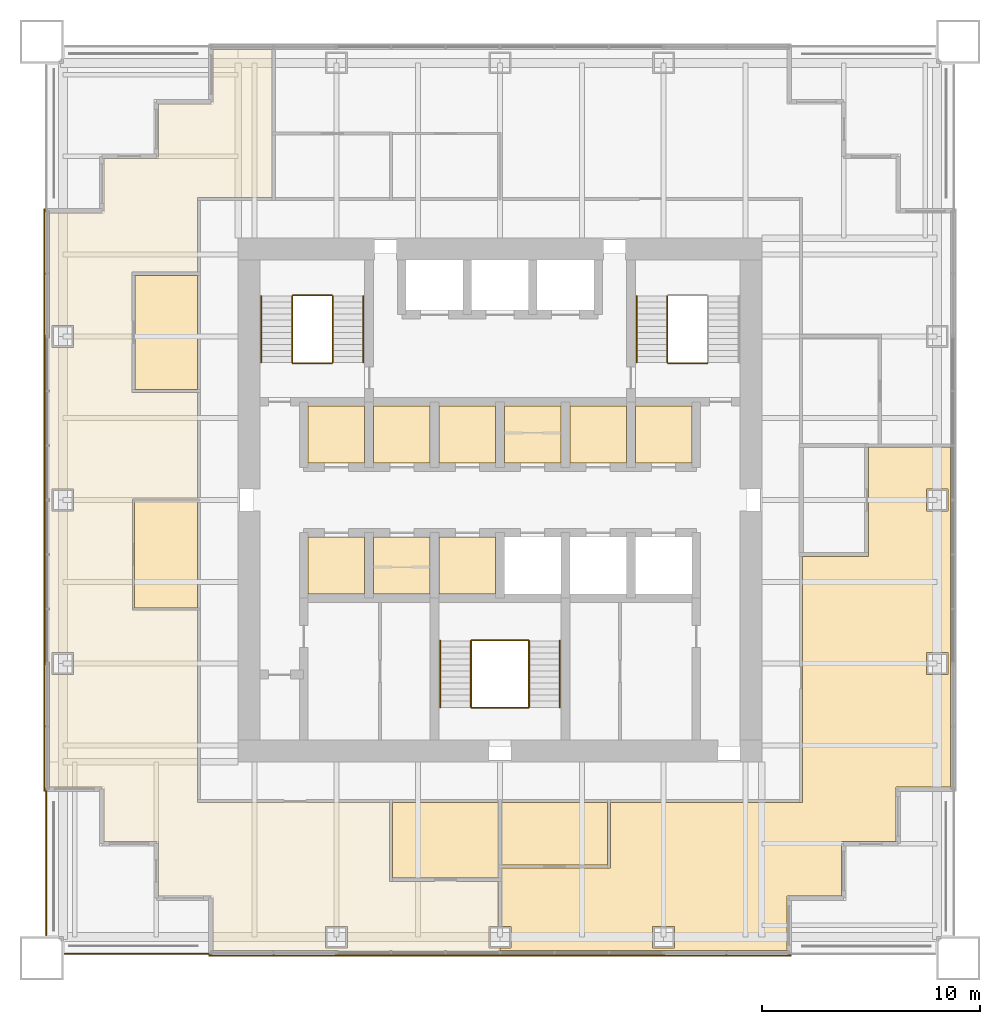
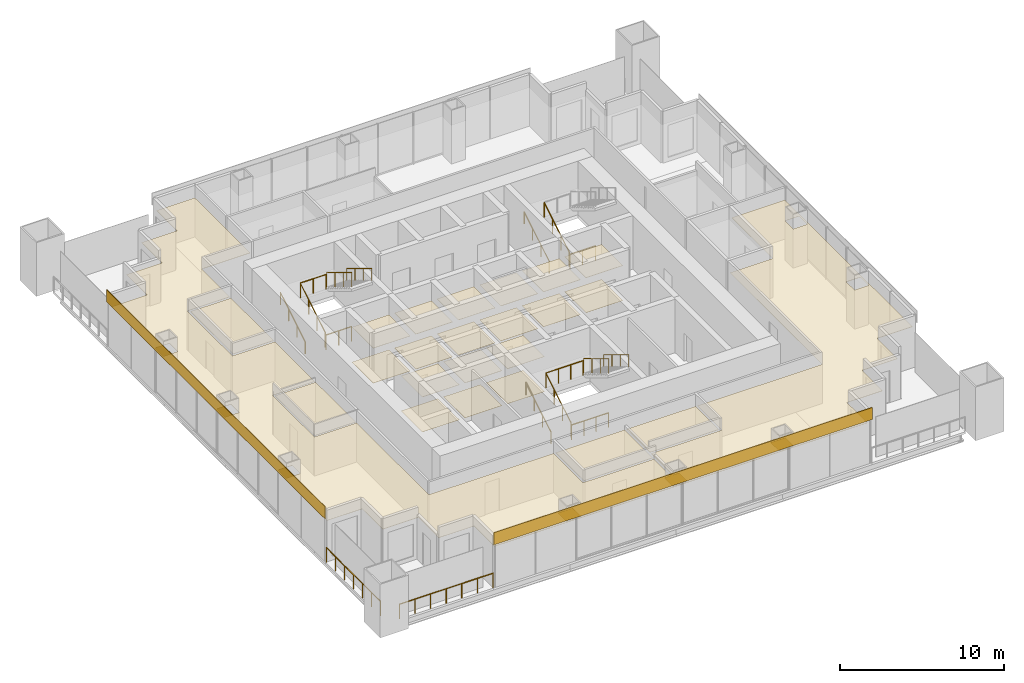
# One storey, part 13 of 14: 26 coverings, 17 railings.
"""IFC4 building model written with IfcOpenShell, lengths in metres."""

import ifcopenshell
import ifcopenshell.guid

model = None  # the IFC model being written
_history = None  # IfcOwnerHistory: only IFC2X3 demands one
_inside = {}  # id of a spatial element -> (the spatial element, [elements in it])
_under = {}  # id of a project, library or spatial element -> (it, [spatial elements below it])
_declared = {}  # id of a project -> (the project, [libraries it declares])
_typed = {}  # id of a type object -> (the type object, [elements of that type])
_made_of = {}  # id of a material, layer set ... -> (it, [elements and type objects made of it])


def new_model(schema):
    """Start an empty IFC model of exactly this schema.

    Asked for "IFC4X3", IfcOpenShell would pick the latest addendum, in which some entities
    have other attributes; the version numbers below select the first issue.
    IFC2X3 requires an IfcOwnerHistory on every rooted entity: one is made here for all.
    """
    global model, _history
    if schema == "IFC4X3":
        model = ifcopenshell.file(schema_version=(4, 3, 0, 0))
    else:
        model = ifcopenshell.file(schema=schema)
    _inside.clear()
    _under.clear()
    _declared.clear()
    _typed.clear()
    _made_of.clear()
    _history = None
    if model.schema == "IFC2X3":
        org = make("IfcOrganization", Name="unknown")
        user = make(
            "IfcPersonAndOrganization",
            ThePerson=make("IfcPerson", FamilyName="unknown"),
            TheOrganization=org,
        )
        app = make(
            "IfcApplication",
            ApplicationDeveloper=org,
            Version="unknown",
            ApplicationFullName="unknown",
            ApplicationIdentifier="unknown",
        )
        _history = make(
            "IfcOwnerHistory",
            OwningUser=user,
            OwningApplication=app,
            ChangeAction="ADDED",
            CreationDate=0,
        )
    return model


def make(cls, **values):
    """One entity of the class cls with the attributes given. An attribute that is None is left unset."""
    return model.create_entity(
        cls, **{name: value for name, value in values.items() if value is not None}
    )


def rooted(cls, **values):
    """An entity with a GlobalId (a new one), such as an element, a storey or a relation."""
    return make(cls, GlobalId=ifcopenshell.guid.new(), OwnerHistory=_history, **values)


def si_unit(unit_type, name, prefix=None):
    """IfcSIUnit, for example si_unit("LENGTHUNIT", "METRE", prefix="MILLI")."""
    return make("IfcSIUnit", UnitType=unit_type, Prefix=prefix, Name=name)


def assignment(units):
    """IfcUnitAssignment: the units of a project."""
    return None if units is None else make("IfcUnitAssignment", Units=units)


def point(xyz):
    """IfcCartesianPoint."""
    return None if xyz is None else make("IfcCartesianPoint", Coordinates=xyz)


def direction(xyz):
    """IfcDirection."""
    return None if xyz is None else make("IfcDirection", DirectionRatios=xyz)


def frame(location, z_axis=None, x_axis=None):
    """IfcAxis2Placement3D, a coordinate frame: its origin and axes. An axis left out is left unset."""
    return make(
        "IfcAxis2Placement3D",
        Location=point(location),
        Axis=direction(z_axis),
        RefDirection=direction(x_axis),
    )


def frame_2d(location, x_axis=None):
    """IfcAxis2Placement2D, a coordinate frame in the plane: its origin and x axis."""
    return make(
        "IfcAxis2Placement2D", Location=point(location), RefDirection=direction(x_axis)
    )


def origin():
    """The frame at (0, 0, 0) with its axes left unset."""
    return frame((0.0, 0.0, 0.0))


def origin_2d():
    """The frame at (0, 0) in the plane with its x axis left unset."""
    return frame_2d((0.0, 0.0))


def place(relative_to, where):
    """IfcLocalPlacement: puts the frame where relative to a parent placement (None: the world)."""
    return make(
        "IfcLocalPlacement", PlacementRelTo=relative_to, RelativePlacement=where
    )


def context(
    kind, dimensions, precision=None, world=None, true_north=None, identifier=None
):
    """IfcGeometricRepresentationContext, for example the 3D "Model" context."""
    return make(
        "IfcGeometricRepresentationContext",
        ContextIdentifier=identifier,
        ContextType=kind,
        CoordinateSpaceDimension=dimensions,
        Precision=precision,
        WorldCoordinateSystem=world,
        TrueNorth=true_north,
    )


def subcontext(parent, identifier, kind, view, scale=None):
    """IfcGeometricRepresentationSubContext, for example "Body" below "Model"."""
    return make(
        "IfcGeometricRepresentationSubContext",
        ContextIdentifier=identifier,
        ContextType=kind,
        ParentContext=parent,
        TargetScale=scale,
        TargetView=view,
    )


def project(units=None, contexts=None):
    """IfcProject with its units and contexts."""
    return rooted(
        "IfcProject",
        Name="project",
        RepresentationContexts=contexts,
        UnitsInContext=assignment(units),
    )


def spatial(cls, under=None, at=None, **own):
    """A site, building, storey or space (cls), placed at a placement, below another one or the project."""
    s = rooted(cls, ObjectPlacement=at, **own)
    if under is not None:
        _under.setdefault(under.id(), (under, []))[1].append(s)
    return s


def polyline(points):
    """IfcPolyline through the points."""
    return make("IfcPolyline", Points=[point(p) for p in points])


def profile(cls, at=None, kind="AREA", **sizes):
    """A parametric profile (cls). Its sizes go by their IFC names, for example OverallWidth=200.0."""
    return make(cls, ProfileType=kind, Position=at, **sizes)


def rectangle(**sizes):
    """IfcRectangleProfileDef."""
    return profile("IfcRectangleProfileDef", **sizes)


def circle(**sizes):
    """IfcCircleProfileDef."""
    return profile("IfcCircleProfileDef", **sizes)


def outline(outer, holes=None, kind="AREA"):
    """IfcArbitraryClosedProfileDef: a profile drawn as a closed curve; with holes, ...WithVoids."""
    if holes is None:
        return make("IfcArbitraryClosedProfileDef", ProfileType=kind, OuterCurve=outer)
    return make(
        "IfcArbitraryProfileDefWithVoids",
        ProfileType=kind,
        OuterCurve=outer,
        InnerCurves=holes,
    )


def extrude(swept, where, along, depth):
    """IfcExtrudedAreaSolid: the profile swept, set in the frame where, extruded along a direction by depth."""
    return make(
        "IfcExtrudedAreaSolid",
        SweptArea=swept,
        Position=where,
        ExtrudedDirection=direction(along),
        Depth=depth,
    )


def shape(context_of_items, identifier, shape_type, items):
    """IfcShapeRepresentation: the items that make up one representation, for example the "Body"."""
    return make(
        "IfcShapeRepresentation",
        ContextOfItems=context_of_items,
        RepresentationIdentifier=identifier,
        RepresentationType=shape_type,
        Items=items,
    )


def material(Name=None, Category=None):
    """IfcMaterial."""
    return make("IfcMaterial", Name=Name, Category=Category)


def layer(
    of_material, thickness, ventilated=None, Name=None, Category=None, Priority=None
):
    """IfcMaterialLayer: one layer of a wall or slab, of a material (None: an air gap)."""
    return make(
        "IfcMaterialLayer",
        Material=of_material,
        LayerThickness=thickness,
        IsVentilated=ventilated,
        Name=Name,
        Category=Category,
        Priority=Priority,
    )


def layer_set(layers, Name=None):
    """IfcMaterialLayerSet."""
    return make("IfcMaterialLayerSet", MaterialLayers=layers, LayerSetName=Name)


def made_of(thing, what):
    """Note that an element or type object is made of a material, layer set ...; save() writes the relation."""
    if what is not None:
        _made_of.setdefault(what.id(), (what, []))[1].append(thing)
    return thing


def type_object(cls, material=None, **own):
    """A type object (cls), such as IfcWallType, which elements share."""
    return made_of(rooted(cls, **own), material)


def element(
    cls,
    number,
    at=None,
    inside=None,
    cuts=None,
    type_object=None,
    material=None,
    context=None,
    identifier="Body",
    shape_type=None,
    held_by="IfcProductDefinitionShape",
    body=None,
    shapes=None,
    **own,
):
    """One element of the class cls, such as IfcWall. Its Tag is "e" and its number.

    at: its placement. inside: the storey or other place that contains it. cuts: it is an
    opening in that element (IfcRelVoidsElement). A single representation is given by context,
    identifier, shape_type and body (its items); several are given by shapes. held_by: the class
    of the entity that holds the representations. save() writes the other relations.
    """
    e = rooted(cls, Tag="e%d" % number, ObjectPlacement=at, **own)
    if body is not None:
        shapes = [shape(context, identifier, shape_type, body)]
    if shapes is not None:
        e.Representation = make(held_by, Representations=shapes)
    if inside is not None:
        _inside.setdefault(inside.id(), (inside, []))[1].append(e)
    if cuts is not None:
        rooted(
            "IfcRelVoidsElement", RelatingBuildingElement=cuts, RelatedOpeningElement=e
        )
    if type_object is not None:
        _typed.setdefault(type_object.id(), (type_object, []))[1].append(e)
    return made_of(e, material)


def aggregate(whole, parts):
    """IfcRelAggregates: a whole, such as a stair, and the parts it consists of."""
    return rooted("IfcRelAggregates", RelatingObject=whole, RelatedObjects=parts)


def save(model, path):
    """Write the relations noted so far, then the file.

    IfcRelAggregates (storeys below a building ...), IfcRelContainedInSpatialStructure (elements
    in a storey), IfcRelDefinesByType, IfcRelAssociatesMaterial and IfcRelDeclares: one each for
    every whole, place, type object, material and project.
    """
    for whole, parts in _under.values():
        aggregate(whole, parts)
    for where, things in _inside.values():
        rooted(
            "IfcRelContainedInSpatialStructure",
            RelatedElements=things,
            RelatingStructure=where,
        )
    for kind, things in _typed.values():
        rooted("IfcRelDefinesByType", RelatedObjects=things, RelatingType=kind)
    for what, things in _made_of.values():
        rooted("IfcRelAssociatesMaterial", RelatedObjects=things, RelatingMaterial=what)
    for by, libraries in _declared.values():
        rooted("IfcRelDeclares", RelatingContext=by, RelatedDefinitions=libraries)
    model.write(path)


model = new_model("IFC4")

# Units and contexts
model_context = context("Model", 3, precision=1e-05, world=origin(), true_north=direction((0.0, 1.0)))
body_context = subcontext(model_context, "Body", "Model", "MODEL_VIEW")
ifc_project = project(units=[si_unit("LENGTHUNIT", "METRE"), si_unit("AREAUNIT", "SQUARE_METRE"), si_unit("VOLUMEUNIT", "CUBIC_METRE"), si_unit("PLANEANGLEUNIT", "RADIAN"), si_unit("MASSUNIT", "GRAM", prefix="KILO")], contexts=[model_context])

# Site, building, storey
site_placement = place(None, origin())
site = spatial("IfcSite", under=ifc_project, at=site_placement, CompositionType="ELEMENT")
building_placement = place(site_placement, origin())
building = spatial("IfcBuilding", under=site, at=building_placement, Name="Tarangal Relay Tower", CompositionType="ELEMENT")
storey_placement = place(building_placement, frame((0.0, 0.0, 267.89990234375)))
storey = spatial("IfcBuildingStorey", under=building, at=storey_placement, Name="L58", CompositionType="ELEMENT", Elevation=267.89990234375)

# Coverings
ifc_material_1 = material(Name="Anti-static vinyl flooring", Category="plastic")
ifc_layer_1 = layer(ifc_material_1, 0.010009765625)
ifc_layer_set_1 = layer_set([ifc_layer_1], Name="Anti-static vinyl floor")
covering_type_1 = type_object("IfcCoveringType", Name="Anti-static vinyl floor", PredefinedType="FLOORING", material=ifc_layer_set_1)
covering_1_placement = place(storey_placement, origin())
element("IfcCovering", 1, at=covering_1_placement, inside=storey, type_object=covering_type_1, Name="Floor finish FL1 L58-D1", PredefinedType="FLOORING", context=body_context, shape_type="SweptSolid", body=[
    extrude(outline(polyline([(-8.800048828125, 1.699951171875), (-6.199951171875, 1.699951171875), (-6.199951171875, 4.300048828125), (-8.800048828125, 4.300048828125), (-8.800048828125, 1.699951171875)])), origin(), (0.0, 0.0, 1.0), 0.010009765625),
])
covering_2_placement = place(storey_placement, origin())
element("IfcCovering", 2, at=covering_2_placement, inside=storey, type_object=covering_type_1, Name="Floor finish FL1 L58-D2", PredefinedType="FLOORING", context=body_context, shape_type="SweptSolid", body=[
    extrude(outline(polyline([(-5.800048828125, 1.699951171875), (-3.199951171875, 1.699951171875), (-3.199951171875, 4.300048828125), (-5.800048828125, 4.300048828125), (-5.800048828125, 1.699951171875)])), origin(), (0.0, 0.0, 1.0), 0.010009765625),
])
covering_3_placement = place(storey_placement, origin())
element("IfcCovering", 3, at=covering_3_placement, inside=storey, type_object=covering_type_1, Name="Floor finish FL1 L58-D3", PredefinedType="FLOORING", context=body_context, shape_type="SweptSolid", body=[
    extrude(outline(polyline([(-2.800048828125, 1.699951171875), (-0.199951171875, 1.699951171875), (-0.199951171875, 4.300048828125), (-2.800048828125, 4.300048828125), (-2.800048828125, 1.699951171875)])), origin(), (0.0, 0.0, 1.0), 0.010009765625),
])
covering_4_placement = place(storey_placement, origin())
element("IfcCovering", 4, at=covering_4_placement, inside=storey, type_object=covering_type_1, Name="Floor finish FL1 L58-T1", PredefinedType="FLOORING", context=body_context, shape_type="SweptSolid", body=[
    extrude(outline(polyline([(0.199951171875, 1.699951171875), (2.800048828125, 1.699951171875), (2.800048828125, 4.300048828125), (0.199951171875, 4.300048828125), (0.199951171875, 1.699951171875)])), origin(), (0.0, 0.0, 1.0), 0.010009765625),
])
covering_5_placement = place(storey_placement, origin())
element("IfcCovering", 5, at=covering_5_placement, inside=storey, type_object=covering_type_1, Name="Floor finish FL1 L58-T2", PredefinedType="FLOORING", context=body_context, shape_type="SweptSolid", body=[
    extrude(outline(polyline([(3.199951171875, 1.699951171875), (5.800048828125, 1.699951171875), (5.800048828125, 4.300048828125), (3.199951171875, 4.300048828125), (3.199951171875, 1.699951171875)])), origin(), (0.0, 0.0, 1.0), 0.010009765625),
])
covering_6_placement = place(storey_placement, origin())
element("IfcCovering", 6, at=covering_6_placement, inside=storey, type_object=covering_type_1, Name="Floor finish FL1 L58-T3", PredefinedType="FLOORING", context=body_context, shape_type="SweptSolid", body=[
    extrude(outline(polyline([(6.199951171875, 1.699951171875), (8.800048828125, 1.699951171875), (8.800048828125, 4.300048828125), (6.199951171875, 4.300048828125), (6.199951171875, 1.699951171875)])), origin(), (0.0, 0.0, 1.0), 0.010009765625),
])
covering_7_placement = place(storey_placement, origin())
element("IfcCovering", 7, at=covering_7_placement, inside=storey, type_object=covering_type_1, Name="Floor finish FL1 L58-S1", PredefinedType="FLOORING", context=body_context, shape_type="SweptSolid", body=[
    extrude(outline(polyline([(-8.800048828125, -4.300048828125), (-6.199951171875, -4.300048828125), (-6.199951171875, -1.699951171875), (-8.800048828125, -1.699951171875), (-8.800048828125, -4.300048828125)])), origin(), (0.0, 0.0, 1.0), 0.010009765625),
])
covering_8_placement = place(storey_placement, origin())
element("IfcCovering", 8, at=covering_8_placement, inside=storey, type_object=covering_type_1, Name="Floor finish FL1 L58-S2", PredefinedType="FLOORING", context=body_context, shape_type="SweptSolid", body=[
    extrude(outline(polyline([(-5.800048828125, -4.300048828125), (-3.199951171875, -4.300048828125), (-3.199951171875, -1.699951171875), (-5.800048828125, -1.699951171875), (-5.800048828125, -4.300048828125)])), origin(), (0.0, 0.0, 1.0), 0.010009765625),
])
covering_9_placement = place(storey_placement, origin())
element("IfcCovering", 9, at=covering_9_placement, inside=storey, type_object=covering_type_1, Name="Floor finish FL1 L58-S3", PredefinedType="FLOORING", context=body_context, shape_type="SweptSolid", body=[
    extrude(outline(polyline([(-2.800048828125, -4.300048828125), (-0.199951171875, -4.300048828125), (-0.199951171875, -1.699951171875), (-2.800048828125, -1.699951171875), (-2.800048828125, -4.300048828125)])), origin(), (0.0, 0.0, 1.0), 0.010009765625),
])
ifc_material_2 = material(Name="Black anodised aluminium cladding", Category="aluminium")
ifc_layer_2 = layer(ifc_material_2, 0.050048828125)
ifc_layer_set_2 = layer_set([ifc_layer_2], Name="Black metal spandrel band")
covering_type_2 = type_object("IfcCoveringType", Name="Black metal spandrel band", PredefinedType="CLADDING", material=ifc_layer_set_2)
for number, where, z_axis, x_axis, name in (
    (10, (0.0, -20.875, 3.250244140625), (0.0, 0.0, 1.0), (-1.0, 0.0, 0.0), "Spandrel band SB1 S L58"),
    (11, (-20.875, 0.0, 3.250244140625), (0.0, 0.0, 1.0), (0.0, 1.0, 0.0), "Spandrel band SB1 W L58"),
):
    element("IfcCovering", number, at=place(storey_placement, frame(where, z_axis=z_axis, x_axis=x_axis)), inside=storey, type_object=covering_type_2, Name=name, PredefinedType="CLADDING", context=body_context, shape_type="SweptSolid", body=[
        extrude(rectangle(XDim=26.699951171875, YDim=0.050048828125, at=origin_2d()), origin(), (0.0, 0.0, 1.0), 0.89990234375),
    ])

# Railings
ifc_material_3 = material(Name="Steel guard, black finish", Category="steel")
railing_type_1 = type_object("IfcRailingType", Name="Stair guard 1100", PredefinedType="GUARDRAIL", material=ifc_material_3)
railing_1_placement = place(storey_placement, frame((-9.530029296875, 6.300048828125, 0.166748046875)))
element("IfcRailing", 12, at=railing_1_placement, inside=storey, type_object=railing_type_1, Name="Stair ST-A guard GR1 L58 flight 1", PredefinedType="GUARDRAIL", context=body_context, shape_type="SweptSolid", body=[
    extrude(circle(Radius=0.02392578125, at=origin_2d()), frame((0.0, 0.0, 1.076171875), z_axis=(0.0, 0.85685617095, 0.515555527858), x_axis=(-1.0, 0.0, 0.0)), (0.0, 0.0, 1.0), 3.555908203125),
    extrude(circle(Radius=0.02099609375, at=origin_2d()), origin(), (0.0, 0.0, 1.0), 1.052001953125),
    extrude(circle(Radius=0.02099609375, at=origin_2d()), frame((0.0, 1.015625, 0.611083984375)), (0.0, 0.0, 1.0), 1.052001953125),
    extrude(circle(Radius=0.02099609375, at=origin_2d()), frame((0.0, 2.03125, 1.22216796875)), (0.0, 0.0, 1.0), 1.052001953125),
    extrude(circle(Radius=0.02099609375, at=origin_2d()), frame((0.0, 3.046875, 1.833251953125)), (0.0, 0.0, 1.0), 1.052001953125),
])
railing_2_placement = place(storey_placement, frame((-7.669921875, 9.346923828125, 2.166748046875)))
element("IfcRailing", 13, at=railing_2_placement, inside=storey, type_object=railing_type_1, Name="Stair ST-A guard GR1 L58 flight 2", PredefinedType="GUARDRAIL", context=body_context, shape_type="SweptSolid", body=[
    extrude(circle(Radius=0.02392578125, at=origin_2d()), frame((0.0, 0.0, 1.076171875), z_axis=(0.0, -0.85685617095, 0.515555527858), x_axis=(1.0, 0.0, 0.0)), (0.0, 0.0, 1.0), 3.555908203125),
    extrude(circle(Radius=0.02099609375, at=origin_2d()), origin(), (0.0, 0.0, 1.0), 1.052001953125),
    extrude(circle(Radius=0.02099609375, at=origin_2d()), frame((0.0, -1.015625, 0.611083984375)), (0.0, 0.0, 1.0), 1.052001953125),
    extrude(circle(Radius=0.02099609375, at=origin_2d()), frame((0.0, -2.03125, 1.22216796875)), (0.0, 0.0, 1.0), 1.052001953125),
    extrude(circle(Radius=0.02099609375, at=origin_2d()), frame((0.0, -3.046875, 1.833251953125)), (0.0, 0.0, 1.0), 1.052001953125),
])
for number, where, name in (
    (14, (-9.5, 6.27001953125, 0.0), "Stair ST-A landing guard GR1 L58"),
    (15, (-9.5, 9.376953125, 2.0), "Stair ST-A landing guard GR1 L58"),
):
    element("IfcRailing", number, at=place(storey_placement, frame(where)), inside=storey, type_object=railing_type_1, Name=name, PredefinedType="GUARDRAIL", context=body_context, shape_type="SweptSolid", body=[
        extrude(circle(Radius=0.02392578125, at=origin_2d()), frame((0.0, 0.0, 1.076171875), z_axis=(1.0, 0.0, 0.0), x_axis=(0.0, 1.0, 0.0)), (0.0, 0.0, 1.0), 1.800048828125),
        extrude(circle(Radius=0.02099609375, at=origin_2d()), origin(), (0.0, 0.0, 1.0), 1.052001953125),
        extrude(circle(Radius=0.02099609375, at=origin_2d()), frame((0.89990234375, 0.0, 0.0)), (0.0, 0.0, 1.0), 1.052001953125),
        extrude(circle(Radius=0.02099609375, at=origin_2d()), frame((1.800048828125, 0.0, 0.0)), (0.0, 0.0, 1.0), 1.052001953125),
    ])
railing_3_placement = place(storey_placement, frame((7.669921875, 6.300048828125, 0.166748046875)))
element("IfcRailing", 16, at=railing_3_placement, inside=storey, type_object=railing_type_1, Name="Stair ST-B guard GR1 L58 flight 1", PredefinedType="GUARDRAIL", context=body_context, shape_type="SweptSolid", body=[
    extrude(circle(Radius=0.02392578125, at=origin_2d()), frame((0.0, 0.0, 1.076171875), z_axis=(0.0, 0.85685617095, 0.515555527858), x_axis=(-1.0, 0.0, 0.0)), (0.0, 0.0, 1.0), 3.555908203125),
    extrude(circle(Radius=0.02099609375, at=origin_2d()), origin(), (0.0, 0.0, 1.0), 1.052001953125),
    extrude(circle(Radius=0.02099609375, at=origin_2d()), frame((0.0, 1.015625, 0.611083984375)), (0.0, 0.0, 1.0), 1.052001953125),
    extrude(circle(Radius=0.02099609375, at=origin_2d()), frame((0.0, 2.03125, 1.22216796875)), (0.0, 0.0, 1.0), 1.052001953125),
    extrude(circle(Radius=0.02099609375, at=origin_2d()), frame((0.0, 3.046875, 1.833251953125)), (0.0, 0.0, 1.0), 1.052001953125),
])
railing_4_placement = place(storey_placement, frame((7.699951171875, 6.27001953125, 0.0)))
element("IfcRailing", 17, at=railing_4_placement, inside=storey, type_object=railing_type_1, Name="Stair ST-B landing guard GR1 L58", PredefinedType="GUARDRAIL", context=body_context, shape_type="SweptSolid", body=[
    extrude(circle(Radius=0.02392578125, at=origin_2d()), frame((0.0, 0.0, 1.076171875), z_axis=(1.0, 0.0, 0.0), x_axis=(0.0, 1.0, 0.0)), (0.0, 0.0, 1.0), 1.800048828125),
    extrude(circle(Radius=0.02099609375, at=origin_2d()), origin(), (0.0, 0.0, 1.0), 1.052001953125),
    extrude(circle(Radius=0.02099609375, at=origin_2d()), frame((0.89990234375, 0.0, 0.0)), (0.0, 0.0, 1.0), 1.052001953125),
    extrude(circle(Radius=0.02099609375, at=origin_2d()), frame((1.800048828125, 0.0, 0.0)), (0.0, 0.0, 1.0), 1.052001953125),
])
railing_5_placement = place(storey_placement, frame((-1.330078125, -9.5, 0.166748046875)))
element("IfcRailing", 18, at=railing_5_placement, inside=storey, type_object=railing_type_1, Name="Stair ST-C guard GR1 L58 flight 1", PredefinedType="GUARDRAIL", context=body_context, shape_type="SweptSolid", body=[
    extrude(circle(Radius=0.02392578125, at=origin_2d()), frame((0.0, 0.0, 1.076171875), z_axis=(0.0, 0.856874418557, 0.515525199018), x_axis=(-1.0, 0.0, 0.0)), (0.0, 0.0, 1.0), 3.55615234375),
    extrude(circle(Radius=0.02099609375, at=origin_2d()), origin(), (0.0, 0.0, 1.0), 1.052001953125),
    extrude(circle(Radius=0.02099609375, at=origin_2d()), frame((0.0, 1.015625, 0.611083984375)), (0.0, 0.0, 1.0), 1.052001953125),
    extrude(circle(Radius=0.02099609375, at=origin_2d()), frame((0.0, 2.031494140625, 1.22216796875)), (0.0, 0.0, 1.0), 1.052001953125),
    extrude(circle(Radius=0.02099609375, at=origin_2d()), frame((0.0, 3.047119140625, 1.833251953125)), (0.0, 0.0, 1.0), 1.052001953125),
])
railing_6_placement = place(storey_placement, frame((1.330078125, -6.452880859375, 2.166748046875)))
element("IfcRailing", 19, at=railing_6_placement, inside=storey, type_object=railing_type_1, Name="Stair ST-C guard GR1 L58 flight 2", PredefinedType="GUARDRAIL", context=body_context, shape_type="SweptSolid", body=[
    extrude(circle(Radius=0.02392578125, at=origin_2d()), frame((0.0, 0.0, 1.076171875), z_axis=(0.0, -0.856874418557, 0.515525199018), x_axis=(1.0, 0.0, 0.0)), (0.0, 0.0, 1.0), 3.55615234375),
    extrude(circle(Radius=0.02099609375, at=origin_2d()), origin(), (0.0, 0.0, 1.0), 1.052001953125),
    extrude(circle(Radius=0.02099609375, at=origin_2d()), frame((0.0, -1.015625, 0.611083984375)), (0.0, 0.0, 1.0), 1.052001953125),
    extrude(circle(Radius=0.02099609375, at=origin_2d()), frame((0.0, -2.031494140625, 1.22216796875)), (0.0, 0.0, 1.0), 1.052001953125),
    extrude(circle(Radius=0.02099609375, at=origin_2d()), frame((0.0, -3.047119140625, 1.833251953125)), (0.0, 0.0, 1.0), 1.052001953125),
])
for number, where, name in (
    (20, (-1.300048828125, -9.530029296875, 0.0), "Stair ST-C landing guard GR1 L58"),
    (21, (-1.300048828125, -6.423095703125, 2.0), "Stair ST-C landing guard GR1 L58"),
):
    element("IfcRailing", number, at=place(storey_placement, frame(where)), inside=storey, type_object=railing_type_1, Name=name, PredefinedType="GUARDRAIL", context=body_context, shape_type="SweptSolid", body=[
        extrude(circle(Radius=0.02392578125, at=origin_2d()), frame((0.0, 0.0, 1.076171875), z_axis=(1.0, 0.0, 0.0), x_axis=(0.0, 1.0, 0.0)), (0.0, 0.0, 1.0), 2.60009765625),
        extrude(circle(Radius=0.02099609375, at=origin_2d()), origin(), (0.0, 0.0, 1.0), 1.052001953125),
        extrude(circle(Radius=0.02099609375, at=origin_2d()), frame((0.86669921875, 0.0, 0.0)), (0.0, 0.0, 1.0), 1.052001953125),
        extrude(circle(Radius=0.02099609375, at=origin_2d()), frame((1.7333984375, 0.0, 0.0)), (0.0, 0.0, 1.0), 1.052001953125),
        extrude(circle(Radius=0.02099609375, at=origin_2d()), frame((2.60009765625, 0.0, 0.0)), (0.0, 0.0, 1.0), 1.052001953125),
    ])
ifc_material_4 = material(Name="Steel handrail, black finish", Category="steel")
railing_type_2 = type_object("IfcRailingType", Name="Stair handrail 900", PredefinedType="HANDRAIL", material=ifc_material_4)
railing_7_placement = place(storey_placement, frame((-10.93994140625, 6.300048828125, 0.166748046875)))
element("IfcRailing", 22, at=railing_7_placement, inside=storey, type_object=railing_type_2, Name="Stair ST-A handrail HR1 L58 flight 1", PredefinedType="HANDRAIL", context=body_context, shape_type="SweptSolid", body=[
    extrude(circle(Radius=0.02392578125, at=origin_2d()), frame((0.0, 0.0, 0.8759765625), z_axis=(0.0, 0.85685617095, 0.515555527858), x_axis=(-1.0, 0.0, 0.0)), (0.0, 0.0, 1.0), 3.555908203125),
    extrude(circle(Radius=0.02099609375, at=origin_2d()), origin(), (0.0, 0.0, 1.0), 0.851806640625),
    extrude(circle(Radius=0.02099609375, at=origin_2d()), frame((0.0, 1.015625, 0.611083984375)), (0.0, 0.0, 1.0), 0.851806640625),
    extrude(circle(Radius=0.02099609375, at=origin_2d()), frame((0.0, 2.03125, 1.22216796875)), (0.0, 0.0, 1.0), 0.851806640625),
    extrude(circle(Radius=0.02099609375, at=origin_2d()), frame((0.0, 3.046875, 1.833251953125)), (0.0, 0.0, 1.0), 0.851806640625),
])
railing_8_placement = place(storey_placement, frame((-6.260009765625, 9.346923828125, 2.166748046875)))
element("IfcRailing", 23, at=railing_8_placement, inside=storey, type_object=railing_type_2, Name="Stair ST-A handrail HR1 L58 flight 2", PredefinedType="HANDRAIL", context=body_context, shape_type="SweptSolid", body=[
    extrude(circle(Radius=0.02392578125, at=origin_2d()), frame((0.0, 0.0, 0.8759765625), z_axis=(0.0, -0.85685617095, 0.515555527858), x_axis=(1.0, 0.0, 0.0)), (0.0, 0.0, 1.0), 3.555908203125),
    extrude(circle(Radius=0.02099609375, at=origin_2d()), origin(), (0.0, 0.0, 1.0), 0.851806640625),
    extrude(circle(Radius=0.02099609375, at=origin_2d()), frame((0.0, -1.015625, 0.611083984375)), (0.0, 0.0, 1.0), 0.851806640625),
    extrude(circle(Radius=0.02099609375, at=origin_2d()), frame((0.0, -2.03125, 1.22216796875)), (0.0, 0.0, 1.0), 0.851806640625),
    extrude(circle(Radius=0.02099609375, at=origin_2d()), frame((0.0, -3.046875, 1.833251953125)), (0.0, 0.0, 1.0), 0.851806640625),
])
railing_9_placement = place(storey_placement, frame((6.260009765625, 6.300048828125, 0.166748046875)))
element("IfcRailing", 24, at=railing_9_placement, inside=storey, type_object=railing_type_2, Name="Stair ST-B handrail HR1 L58 flight 1", PredefinedType="HANDRAIL", context=body_context, shape_type="SweptSolid", body=[
    extrude(circle(Radius=0.02392578125, at=origin_2d()), frame((0.0, 0.0, 0.8759765625), z_axis=(0.0, 0.85685617095, 0.515555527858), x_axis=(-1.0, 0.0, 0.0)), (0.0, 0.0, 1.0), 3.555908203125),
    extrude(circle(Radius=0.02099609375, at=origin_2d()), origin(), (0.0, 0.0, 1.0), 0.851806640625),
    extrude(circle(Radius=0.02099609375, at=origin_2d()), frame((0.0, 1.015625, 0.611083984375)), (0.0, 0.0, 1.0), 0.851806640625),
    extrude(circle(Radius=0.02099609375, at=origin_2d()), frame((0.0, 2.03125, 1.22216796875)), (0.0, 0.0, 1.0), 0.851806640625),
    extrude(circle(Radius=0.02099609375, at=origin_2d()), frame((0.0, 3.046875, 1.833251953125)), (0.0, 0.0, 1.0), 0.851806640625),
])
railing_10_placement = place(storey_placement, frame((-2.739990234375, -9.5, 0.166748046875)))
element("IfcRailing", 25, at=railing_10_placement, inside=storey, type_object=railing_type_2, Name="Stair ST-C handrail HR1 L58 flight 1", PredefinedType="HANDRAIL", context=body_context, shape_type="SweptSolid", body=[
    extrude(circle(Radius=0.02392578125, at=origin_2d()), frame((0.0, 0.0, 0.8759765625), z_axis=(0.0, 0.856874418557, 0.515525199018), x_axis=(-1.0, 0.0, 0.0)), (0.0, 0.0, 1.0), 3.55615234375),
    extrude(circle(Radius=0.02099609375, at=origin_2d()), origin(), (0.0, 0.0, 1.0), 0.851806640625),
    extrude(circle(Radius=0.02099609375, at=origin_2d()), frame((0.0, 1.015625, 0.611083984375)), (0.0, 0.0, 1.0), 0.851806640625),
    extrude(circle(Radius=0.02099609375, at=origin_2d()), frame((0.0, 2.031494140625, 1.22216796875)), (0.0, 0.0, 1.0), 0.851806640625),
    extrude(circle(Radius=0.02099609375, at=origin_2d()), frame((0.0, 3.047119140625, 1.833251953125)), (0.0, 0.0, 1.0), 0.851806640625),
])
railing_11_placement = place(storey_placement, frame((2.739990234375, -6.452880859375, 2.166748046875)))
element("IfcRailing", 26, at=railing_11_placement, inside=storey, type_object=railing_type_2, Name="Stair ST-C handrail HR1 L58 flight 2", PredefinedType="HANDRAIL", context=body_context, shape_type="SweptSolid", body=[
    extrude(circle(Radius=0.02392578125, at=origin_2d()), frame((0.0, 0.0, 0.8759765625), z_axis=(0.0, -0.856874418557, 0.515525199018), x_axis=(1.0, 0.0, 0.0)), (0.0, 0.0, 1.0), 3.55615234375),
    extrude(circle(Radius=0.02099609375, at=origin_2d()), origin(), (0.0, 0.0, 1.0), 0.851806640625),
    extrude(circle(Radius=0.02099609375, at=origin_2d()), frame((0.0, -1.015625, 0.611083984375)), (0.0, 0.0, 1.0), 0.851806640625),
    extrude(circle(Radius=0.02099609375, at=origin_2d()), frame((0.0, -2.031494140625, 1.22216796875)), (0.0, 0.0, 1.0), 0.851806640625),
    extrude(circle(Radius=0.02099609375, at=origin_2d()), frame((0.0, -3.047119140625, 1.833251953125)), (0.0, 0.0, 1.0), 0.851806640625),
])

# Coverings
ifc_material_5 = material(Name="Mineral fibre ceiling tiles", Category="gypsum")
ifc_layer_3 = layer(ifc_material_5, 0.02001953125)
ifc_layer_set_3 = layer_set([ifc_layer_3], Name="Suspended ceiling")
covering_type_3 = type_object("IfcCoveringType", Name="Suspended ceiling", PredefinedType="CEILING", material=ifc_layer_set_3)
covering_10_placement = place(storey_placement, frame((0.0, 0.0, 2.60009765625)))
element("IfcCovering", 27, at=covering_10_placement, inside=storey, type_object=covering_type_3, Name="Suspended ceiling CL1 L58-D1", PredefinedType="CEILING", context=body_context, shape_type="SweptSolid", body=[
    extrude(outline(polyline([(-8.800048828125, 1.699951171875), (-6.199951171875, 1.699951171875), (-6.199951171875, 4.300048828125), (-8.800048828125, 4.300048828125), (-8.800048828125, 1.699951171875)])), origin(), (0.0, 0.0, 1.0), 0.02001953125),
])
covering_11_placement = place(storey_placement, frame((0.0, 0.0, 2.60009765625)))
element("IfcCovering", 28, at=covering_11_placement, inside=storey, type_object=covering_type_3, Name="Suspended ceiling CL1 L58-D2", PredefinedType="CEILING", context=body_context, shape_type="SweptSolid", body=[
    extrude(outline(polyline([(-5.800048828125, 1.699951171875), (-3.199951171875, 1.699951171875), (-3.199951171875, 4.300048828125), (-5.800048828125, 4.300048828125), (-5.800048828125, 1.699951171875)])), origin(), (0.0, 0.0, 1.0), 0.02001953125),
])
covering_12_placement = place(storey_placement, frame((0.0, 0.0, 2.60009765625)))
element("IfcCovering", 29, at=covering_12_placement, inside=storey, type_object=covering_type_3, Name="Suspended ceiling CL1 L58-D3", PredefinedType="CEILING", context=body_context, shape_type="SweptSolid", body=[
    extrude(outline(polyline([(-2.800048828125, 1.699951171875), (-0.199951171875, 1.699951171875), (-0.199951171875, 4.300048828125), (-2.800048828125, 4.300048828125), (-2.800048828125, 1.699951171875)])), origin(), (0.0, 0.0, 1.0), 0.02001953125),
])
covering_13_placement = place(storey_placement, frame((0.0, 0.0, 2.60009765625)))
element("IfcCovering", 30, at=covering_13_placement, inside=storey, type_object=covering_type_3, Name="Suspended ceiling CL1 L58-T1", PredefinedType="CEILING", context=body_context, shape_type="SweptSolid", body=[
    extrude(outline(polyline([(0.199951171875, 1.699951171875), (2.800048828125, 1.699951171875), (2.800048828125, 4.300048828125), (0.199951171875, 4.300048828125), (0.199951171875, 1.699951171875)])), origin(), (0.0, 0.0, 1.0), 0.02001953125),
])
covering_14_placement = place(storey_placement, frame((0.0, 0.0, 2.60009765625)))
element("IfcCovering", 31, at=covering_14_placement, inside=storey, type_object=covering_type_3, Name="Suspended ceiling CL1 L58-T2", PredefinedType="CEILING", context=body_context, shape_type="SweptSolid", body=[
    extrude(outline(polyline([(3.199951171875, 1.699951171875), (5.800048828125, 1.699951171875), (5.800048828125, 4.300048828125), (3.199951171875, 4.300048828125), (3.199951171875, 1.699951171875)])), origin(), (0.0, 0.0, 1.0), 0.02001953125),
])
covering_15_placement = place(storey_placement, frame((0.0, 0.0, 2.60009765625)))
element("IfcCovering", 32, at=covering_15_placement, inside=storey, type_object=covering_type_3, Name="Suspended ceiling CL1 L58-T3", PredefinedType="CEILING", context=body_context, shape_type="SweptSolid", body=[
    extrude(outline(polyline([(6.199951171875, 1.699951171875), (8.800048828125, 1.699951171875), (8.800048828125, 4.300048828125), (6.199951171875, 4.300048828125), (6.199951171875, 1.699951171875)])), origin(), (0.0, 0.0, 1.0), 0.02001953125),
])
covering_16_placement = place(storey_placement, frame((0.0, 0.0, 2.60009765625)))
element("IfcCovering", 33, at=covering_16_placement, inside=storey, type_object=covering_type_3, Name="Suspended ceiling CL1 L58-S1", PredefinedType="CEILING", context=body_context, shape_type="SweptSolid", body=[
    extrude(outline(polyline([(-8.800048828125, -4.300048828125), (-6.199951171875, -4.300048828125), (-6.199951171875, -1.699951171875), (-8.800048828125, -1.699951171875), (-8.800048828125, -4.300048828125)])), origin(), (0.0, 0.0, 1.0), 0.02001953125),
])
covering_17_placement = place(storey_placement, frame((0.0, 0.0, 2.60009765625)))
element("IfcCovering", 34, at=covering_17_placement, inside=storey, type_object=covering_type_3, Name="Suspended ceiling CL1 L58-S2", PredefinedType="CEILING", context=body_context, shape_type="SweptSolid", body=[
    extrude(outline(polyline([(-5.800048828125, -4.300048828125), (-3.199951171875, -4.300048828125), (-3.199951171875, -1.699951171875), (-5.800048828125, -1.699951171875), (-5.800048828125, -4.300048828125)])), origin(), (0.0, 0.0, 1.0), 0.02001953125),
])
covering_18_placement = place(storey_placement, frame((0.0, 0.0, 2.60009765625)))
element("IfcCovering", 35, at=covering_18_placement, inside=storey, type_object=covering_type_3, Name="Suspended ceiling CL1 L58-S3", PredefinedType="CEILING", context=body_context, shape_type="SweptSolid", body=[
    extrude(outline(polyline([(-2.800048828125, -4.300048828125), (-0.199951171875, -4.300048828125), (-0.199951171875, -1.699951171875), (-2.800048828125, -1.699951171875), (-2.800048828125, -4.300048828125)])), origin(), (0.0, 0.0, 1.0), 0.02001953125),
])
covering_19_placement = place(storey_placement, frame((0.0, 0.0, 2.900146484375)))
element("IfcCovering", 36, at=covering_19_placement, inside=storey, type_object=covering_type_3, Name="Suspended ceiling CL1 L58-06", PredefinedType="CEILING", context=body_context, shape_type="SweptSolid", body=[
    extrude(outline(polyline([(4.925048828125, -13.875), (0.074951171875, -13.875), (0.074951171875, -16.72509765625), (4.925048828125, -16.72509765625), (4.925048828125, -13.875)])), origin(), (0.0, 0.0, 1.0), 0.02001953125),
])
covering_20_placement = place(storey_placement, frame((0.0, 0.0, 2.900146484375)))
element("IfcCovering", 37, at=covering_20_placement, inside=storey, type_object=covering_type_3, Name="Suspended ceiling CL1 L58-07", PredefinedType="CEILING", context=body_context, shape_type="SweptSolid", body=[
    extrude(outline(polyline([(-4.925048828125, -17.324951171875), (-0.074951171875, -17.324951171875), (-0.074951171875, -13.875), (-4.925048828125, -13.875), (-4.925048828125, -17.324951171875)])), origin(), (0.0, 0.0, 1.0), 0.02001953125),
])
covering_21_placement = place(storey_placement, frame((0.0, 0.0, 2.900146484375)))
element("IfcCovering", 38, at=covering_21_placement, inside=storey, type_object=covering_type_3, Name="Suspended ceiling CL1 L58-08", PredefinedType="CEILING", context=body_context, shape_type="SweptSolid", body=[
    extrude(outline(polyline([(-16.75, -0.050048828125), (-16.75, -4.949951171875), (-13.875, -4.949951171875), (-13.875, -0.050048828125), (-16.75, -0.050048828125)])), origin(), (0.0, 0.0, 1.0), 0.02001953125),
])
covering_22_placement = place(storey_placement, frame((0.0, 0.0, 2.900146484375)))
element("IfcCovering", 39, at=covering_22_placement, inside=storey, type_object=covering_type_3, Name="Suspended ceiling CL1 L58-09", PredefinedType="CEILING", context=body_context, shape_type="SweptSolid", body=[
    extrude(outline(polyline([(-13.875, 10.300048828125), (-16.72509765625, 10.300048828125), (-16.72509765625, 5.074951171875), (-13.875, 5.074951171875), (-13.875, 10.300048828125)])), origin(), (0.0, 0.0, 1.0), 0.02001953125),
])
covering_23_placement = place(storey_placement, frame((0.0, 0.0, 2.900146484375)))
element("IfcCovering", 40, at=covering_23_placement, inside=storey, type_object=covering_type_3, Name="Suspended ceiling CL1 L58-11", PredefinedType="CEILING", context=body_context, shape_type="SweptSolid", body=[
    extrude(outline(polyline([(20.64990234375, -13.14990234375), (20.64990234375, 2.425048828125), (16.89990234375, 2.425048828125), (16.89990234375, -2.60009765625), (13.875, -2.60009765625), (13.875, -13.875), (5.074951171875, -13.875), (5.074951171875, -16.875), (0.074951171875, -16.875), (0.074951171875, -19.5400390625), (0.5, -19.5400390625), (0.5, -20.5400390625), (0.0, -20.5400390625), (0.0, -20.64990234375), (13.14990234375, -20.64990234375), (13.14990234375, -18.14990234375), (15.64990234375, -18.14990234375), (15.64990234375, -15.64990234375), (18.14990234375, -15.64990234375), (18.14990234375, -13.14990234375), (20.64990234375, -13.14990234375)]), holes=[polyline([(7.0, -20.5400390625), (8.0, -20.5400390625), (8.0, -19.5400390625), (7.0, -19.5400390625), (7.0, -20.5400390625)]), polyline([(19.5400390625, -8.0), (20.5400390625, -8.0), (20.5400390625, -7.0), (19.5400390625, -7.0), (19.5400390625, -8.0)]), polyline([(19.5400390625, -0.5), (20.5400390625, -0.5), (20.5400390625, 0.5), (19.5400390625, 0.5), (19.5400390625, -0.5)])]), origin(), (0.0, 0.0, 1.0), 0.02001953125),
])
covering_24_placement = place(storey_placement, frame((0.0, 0.0, 2.900146484375)))
element("IfcCovering", 41, at=covering_24_placement, inside=storey, type_object=covering_type_3, Name="Suspended ceiling CL1 L58-12", PredefinedType="CEILING", context=body_context, shape_type="SweptSolid", body=[
    extrude(outline(polyline([(0.0, -20.64990234375), (0.0, -20.5400390625), (-0.5, -20.5400390625), (-0.5, -19.5400390625), (-0.074951171875, -19.5400390625), (-0.074951171875, -17.47509765625), (-5.074951171875, -17.47509765625), (-5.074951171875, -13.875), (-13.875, -13.875), (-13.875, -5.050048828125), (-16.85009765625, -5.050048828125), (-16.85009765625, 0.050048828125), (-13.875, 0.050048828125), (-13.875, 4.925048828125), (-16.875, 4.925048828125), (-16.875, 10.449951171875), (-13.875, 10.449951171875), (-13.875, 13.875), (-10.449951171875, 13.875), (-10.449951171875, 20.64990234375), (-13.14990234375, 20.64990234375), (-13.14990234375, 18.14990234375), (-15.64990234375, 18.14990234375), (-15.64990234375, 15.64990234375), (-18.14990234375, 15.64990234375), (-18.14990234375, 13.14990234375), (-20.64990234375, 13.14990234375), (-20.64990234375, -13.14990234375), (-18.14990234375, -13.14990234375), (-18.14990234375, -15.64990234375), (-15.64990234375, -15.64990234375), (-15.64990234375, -18.14990234375), (-13.14990234375, -18.14990234375), (-13.14990234375, -20.64990234375), (0.0, -20.64990234375)]), holes=[polyline([(-8.0, -20.5400390625), (-7.0, -20.5400390625), (-7.0, -19.5400390625), (-8.0, -19.5400390625), (-8.0, -20.5400390625)]), polyline([(-20.5400390625, -8.0), (-19.5400390625, -8.0), (-19.5400390625, -7.0), (-20.5400390625, -7.0), (-20.5400390625, -8.0)]), polyline([(-20.5400390625, 0.5), (-20.5400390625, -0.5), (-19.5400390625, -0.5), (-19.5400390625, 0.5), (-20.5400390625, 0.5)]), polyline([(-20.5400390625, 8.0), (-20.5400390625, 7.0), (-19.5400390625, 7.0), (-19.5400390625, 8.0), (-20.5400390625, 8.0)])]), origin(), (0.0, 0.0, 1.0), 0.02001953125),
])

# Railings
ifc_material_6 = material(Name="Black steel guard with glass infill", Category="steel")
railing_type_3 = type_object("IfcRailingType", Name="Terrace guard 1100", PredefinedType="GUARDRAIL", material=ifc_material_6)
railing_12_placement = place(storey_placement, frame((-13.35009765625, -20.800048828125, 0.0)))
element("IfcRailing", 42, at=railing_12_placement, inside=storey, type_object=railing_type_3, Name="Terrace guard GR2 SW L58", PredefinedType="GUARDRAIL", context=body_context, shape_type="SweptSolid", body=[
    extrude(circle(Radius=0.02392578125, at=origin_2d()), frame((0.0, 0.0, 1.076171875), z_axis=(-1.0, 0.0, 0.0), x_axis=(0.0, -1.0, 0.0)), (0.0, 0.0, 1.0), 6.599853515625),
    extrude(circle(Radius=0.02099609375, at=origin_2d()), origin(), (0.0, 0.0, 1.0), 1.052001953125),
    extrude(circle(Radius=0.02099609375, at=origin_2d()), frame((-1.10009765625, 0.0, 0.0)), (0.0, 0.0, 1.0), 1.052001953125),
    extrude(circle(Radius=0.02099609375, at=origin_2d()), frame((-2.199951171875, 0.0, 0.0)), (0.0, 0.0, 1.0), 1.052001953125),
    extrude(circle(Radius=0.02099609375, at=origin_2d()), frame((-3.2998046875, 0.0, 0.0)), (0.0, 0.0, 1.0), 1.052001953125),
    extrude(circle(Radius=0.02099609375, at=origin_2d()), frame((-4.39990234375, 0.0, 0.0)), (0.0, 0.0, 1.0), 1.052001953125),
    extrude(circle(Radius=0.02099609375, at=origin_2d()), frame((-5.5, 0.0, 0.0)), (0.0, 0.0, 1.0), 1.052001953125),
    extrude(circle(Radius=0.02099609375, at=origin_2d()), frame((-6.599853515625, 0.0, 0.0)), (0.0, 0.0, 1.0), 1.052001953125),
])
railing_13_placement = place(storey_placement, frame((-20.800048828125, -19.949951171875, 0.0)))
element("IfcRailing", 43, at=railing_13_placement, inside=storey, type_object=railing_type_3, Name="Terrace guard GR2 SW L58", PredefinedType="GUARDRAIL", context=body_context, shape_type="SweptSolid", body=[
    extrude(circle(Radius=0.02392578125, at=origin_2d()), frame((0.0, 0.0, 1.076171875), z_axis=(0.0, 1.0, 0.0), x_axis=(-1.0, 0.0, 0.0)), (0.0, 0.0, 1.0), 6.599853515625),
    extrude(circle(Radius=0.02099609375, at=origin_2d()), origin(), (0.0, 0.0, 1.0), 1.052001953125),
    extrude(circle(Radius=0.02099609375, at=origin_2d()), frame((0.0, 1.10009765625, 0.0)), (0.0, 0.0, 1.0), 1.052001953125),
    extrude(circle(Radius=0.02099609375, at=origin_2d()), frame((0.0, 2.199951171875, 0.0)), (0.0, 0.0, 1.0), 1.052001953125),
    extrude(circle(Radius=0.02099609375, at=origin_2d()), frame((0.0, 3.2998046875, 0.0)), (0.0, 0.0, 1.0), 1.052001953125),
    extrude(circle(Radius=0.02099609375, at=origin_2d()), frame((0.0, 4.39990234375, 0.0)), (0.0, 0.0, 1.0), 1.052001953125),
    extrude(circle(Radius=0.02099609375, at=origin_2d()), frame((0.0, 5.5, 0.0)), (0.0, 0.0, 1.0), 1.052001953125),
    extrude(circle(Radius=0.02099609375, at=origin_2d()), frame((0.0, 6.599853515625, 0.0)), (0.0, 0.0, 1.0), 1.052001953125),
])

save(model, "model.ifc")
